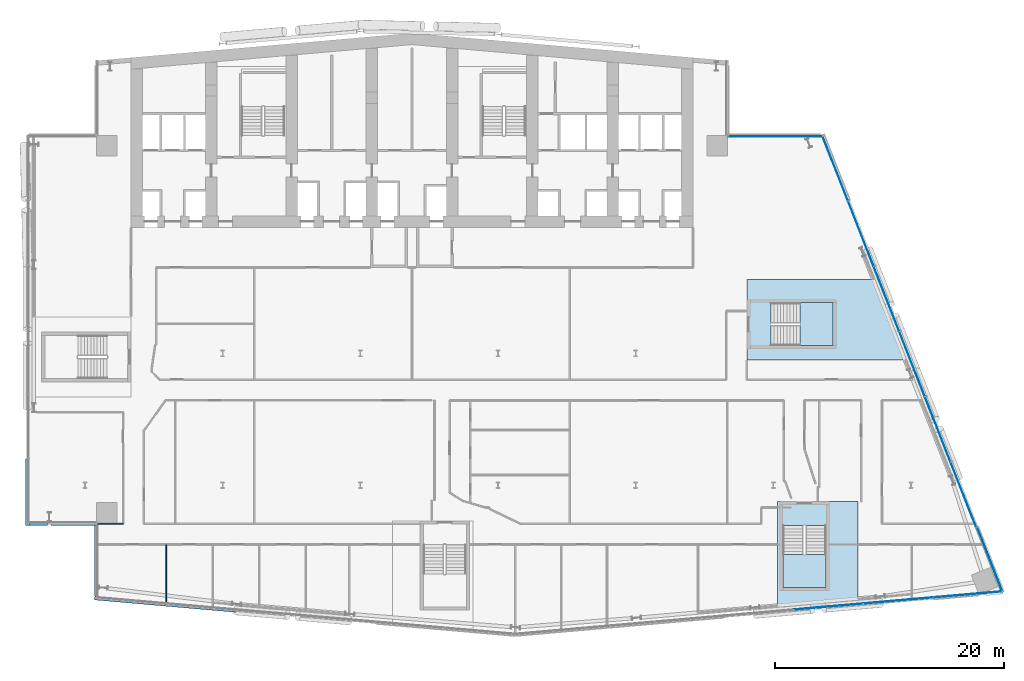
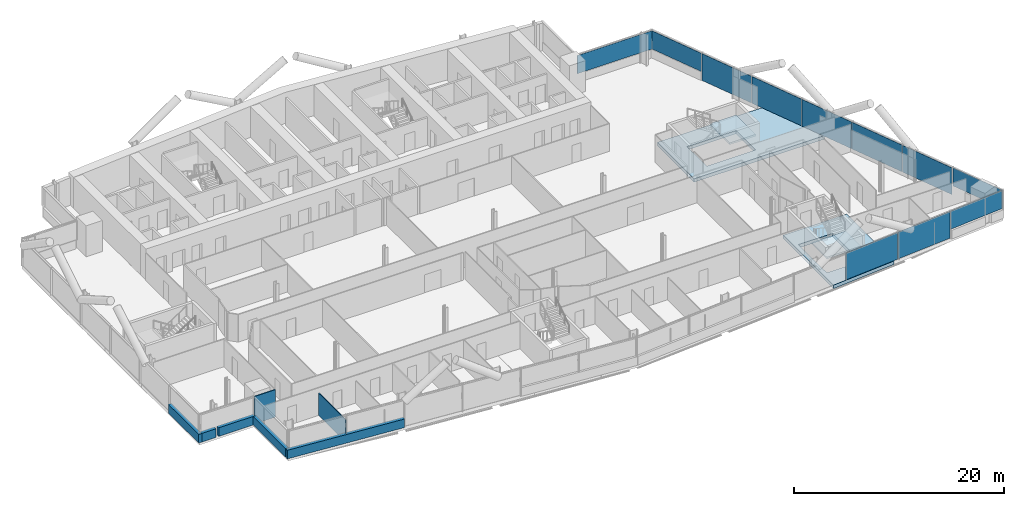
# One storey, part 13 of 27: 11 plates, 7 walls, 4 slabs, 5 elements without a shape of their own.
"""IFC4 building model written with IfcOpenShell, lengths in metres."""

from ifc_helpers import new_model, si_unit, direction, frame, frame_2d, origin, origin_2d, place, context, subcontext, project, spatial, polyline, rectangle, outline, extrude, material, layer, layer_set, type_object, element, aggregate, save


model = new_model("IFC4")

# Units and contexts
model_context = context("Model", 3, precision=1e-05, world=origin(), true_north=direction((0.0, 1.0)))
body_context = subcontext(model_context, "Body", "Model", "MODEL_VIEW")
ifc_project = project(units=[si_unit("LENGTHUNIT", "METRE"), si_unit("AREAUNIT", "SQUARE_METRE"), si_unit("VOLUMEUNIT", "CUBIC_METRE"), si_unit("PLANEANGLEUNIT", "RADIAN"), si_unit("MASSUNIT", "GRAM", prefix="KILO")], contexts=[model_context])

# Site, building, storey
site_placement = place(None, origin())
site = spatial("IfcSite", under=ifc_project, at=site_placement, CompositionType="ELEMENT")
building_placement = place(site_placement, origin())
building = spatial("IfcBuilding", under=site, at=building_placement, Name="Wharfspan Tower", CompositionType="ELEMENT")
storey_placement = place(building_placement, frame((0.0, 0.0, 136.300049)))
storey = spatial("IfcBuildingStorey", under=building, at=storey_placement, Name="L32", CompositionType="ELEMENT", Elevation=136.300049)

# Curtain wall, plate
ifc_material_1 = material(Name="Aluminium 6063-T6", Category="aluminium")
curtain_wall_type_1 = type_object("IfcCurtainWallType", Name="CURTAIN WALL FACETED FRONT", PredefinedType="NOTDEFINED", material=ifc_material_1)
curtain_wall_1_placement = place(storey_placement, origin())
curtain_wall_1 = element("IfcCurtainWall", 1, at=curtain_wall_1_placement, inside=storey, type_object=curtain_wall_type_1, Name="Curtain wall S2", PredefinedType="NOTDEFINED")
ifc_material_2 = material(Name="Glass clear low-iron double glazing", Category="glass")
ifc_layer_1 = layer(ifc_material_2, 0.040039)
ifc_layer_set_1 = layer_set([ifc_layer_1], Name="Glass clear low-iron double glazing")
plate_type_1 = type_object("IfcPlateType", Name="GLASS PANEL FACETED FRONT 40", PredefinedType="CURTAIN_PANEL", material=ifc_layer_set_1)
plate_1_placement = place(storey_placement, frame((88.944092, 1.99292, 1.0), z_axis=(0.0, 0.0, 1.0), x_axis=(0.996198, 0.087156, 0.0)))
plate_1 = element("IfcPlate", 2, at=plate_1_placement, type_object=plate_type_1, Name="Curtain wall S2 panel 7", PredefinedType="CURTAIN_PANEL", context=body_context, shape_type="SweptSolid", body=[
    extrude(rectangle(XDim=6.004639, YDim=0.040039, at=origin_2d()), origin(), (0.0, 0.0, 1.0), 2.120117),
])

# Curtain wall, plates
curtain_wall_type_2 = type_object("IfcCurtainWallType", Name="CURTAIN WALL PROW AND END", PredefinedType="NOTDEFINED", material=ifc_material_1)
curtain_wall_2_placement = place(storey_placement, origin())
curtain_wall_2 = element("IfcCurtainWall", 3, at=curtain_wall_2_placement, inside=storey, type_object=curtain_wall_type_2, Name="Curtain wall E", PredefinedType="NOTDEFINED")
ifc_layer_2 = layer(ifc_material_2, 0.040039)
ifc_layer_set_2 = layer_set([ifc_layer_2], Name="Glass clear low-iron double glazing")
plate_type_2 = type_object("IfcPlateType", Name="GLASS PANEL PROW AND END 40", PredefinedType="CURTAIN_PANEL", material=ifc_layer_set_2)
plate_2_placement = place(storey_placement, frame((90.877197, 5.056885, 1.0), z_axis=(0.0, 0.0, 1.0), x_axis=(-0.365778, 0.930702, 0.0)))
plate_2 = element("IfcPlate", 4, at=plate_2_placement, type_object=plate_type_2, Name="Curtain wall E panel 1", PredefinedType="CURTAIN_PANEL", context=body_context, shape_type="SweptSolid", body=[
    extrude(rectangle(XDim=6.019043, YDim=0.040039, at=origin_2d()), origin(), (0.0, 0.0, 1.0), 2.120117),
])
plate_3_placement = place(storey_placement, frame((77.406494, 39.114014, 1.0), z_axis=(0.0, 0.0, 1.0), x_axis=(-0.365778, 0.930702, 0.0)))
plate_3 = element("IfcPlate", 5, at=plate_3_placement, type_object=plate_type_2, Name="Curtain wall E panel 7", PredefinedType="CURTAIN_PANEL", context=body_context, shape_type="SweptSolid", body=[
    extrude(rectangle(XDim=6.019043, YDim=0.040039, at=origin_2d()), origin(), (0.0, 0.0, 1.0), 2.120117),
])

# Curtain wall, plate
curtain_wall_3_placement = place(storey_placement, origin())
curtain_wall_3 = element("IfcCurtainWall", 6, at=curtain_wall_3_placement, inside=storey, type_object=curtain_wall_type_2, Name="Curtain wall NRE-H", PredefinedType="NOTDEFINED")
plate_4_placement = place(storey_placement, frame((72.178955, 41.919922, 1.0), z_axis=(0.0, 0.0, 1.0), x_axis=(-1.0, 0.0, 0.0)))
plate_4 = element("IfcPlate", 7, at=plate_4_placement, type_object=plate_type_2, Name="Curtain wall NRE-H panel 1", PredefinedType="CURTAIN_PANEL", context=body_context, shape_type="SweptSolid", body=[
    extrude(rectangle(XDim=8.238037, YDim=0.040039, at=origin_2d()), origin(), (0.0, 0.0, 1.0), 2.120117),
])
aggregate(curtain_wall_3, [plate_4])

# Plate
ifc_material_3 = material(Name="Aluminium composite opaque insulated panel", Category="aluminium")
ifc_layer_3 = layer(ifc_material_3, 0.040039)
ifc_layer_set_3 = layer_set([ifc_layer_3], Name="Aluminium composite opaque insulated panel")
plate_type_3 = type_object("IfcPlateType", Name="INFILL PANEL FACETED FRONT OPAQUE 40", PredefinedType="SHEET", material=ifc_layer_set_3)
plate_5_placement = place(storey_placement, frame((76.816162, 0.931885, 0.0), z_axis=(0.0, 0.0, 1.0), x_axis=(0.996198, 0.087156, 0.0)))
plate_5 = element("IfcPlate", 8, at=plate_5_placement, type_object=plate_type_3, Name="Curtain wall S2 panel 5", PredefinedType="SHEET", context=body_context, shape_type="SweptSolid", body=[
    extrude(rectangle(XDim=6.034668, YDim=0.040039, at=origin_2d()), origin(), (0.0, 0.0, 1.0), 3.120117),
])

plate_6_placement = place(storey_placement, frame((82.887695, 1.462891, 0.0), z_axis=(0.0, 0.0, 1.0), x_axis=(0.996198, 0.087156, 0.0)))
plate_6 = element("IfcPlate", 9, at=plate_6_placement, type_object=plate_type_3, Name="Curtain wall S2 panel 6", PredefinedType="SHEET", context=body_context, shape_type="SweptSolid", body=[
    extrude(rectangle(XDim=6.034668, YDim=0.040039, at=origin_2d()), origin(), (0.0, 0.0, 1.0), 3.120117),
])

aggregate(curtain_wall_1, [plate_5, plate_6, plate_1])

ifc_layer_4 = layer(ifc_material_3, 0.040039)
ifc_layer_set_4 = layer_set([ifc_layer_4], Name="Aluminium composite opaque insulated panel")
plate_type_4 = type_object("IfcPlateType", Name="INFILL PANEL PROW AND END OPAQUE 40", PredefinedType="SHEET", material=ifc_layer_set_4)
plate_7_placement = place(storey_placement, frame((88.57373, 10.699219, 0.0), z_axis=(0.0, 0.0, 1.0), x_axis=(-0.365778, 0.930702, 0.0)))
plate_7 = element("IfcPlate", 10, at=plate_7_placement, type_object=plate_type_4, Name="Curtain wall E panel 2", PredefinedType="SHEET", context=body_context, shape_type="SweptSolid", body=[
    extrude(rectangle(XDim=6.049072, YDim=0.040039, at=origin_2d()), origin(), (0.0, 0.0, 1.0), 3.120117),
])

plate_8_placement = place(storey_placement, frame((86.339111, 16.38501, 0.0), z_axis=(0.0, 0.0, 1.0), x_axis=(-0.365778, 0.930702, 0.0)))
plate_8 = element("IfcPlate", 11, at=plate_8_placement, type_object=plate_type_4, Name="Curtain wall E panel 3", PredefinedType="SHEET", context=body_context, shape_type="SweptSolid", body=[
    extrude(rectangle(XDim=6.049072, YDim=0.040039, at=origin_2d()), origin(), (0.0, 0.0, 1.0), 3.120117),
])

plate_9_placement = place(storey_placement, frame((84.104492, 22.070801, 0.0), z_axis=(0.0, 0.0, 1.0), x_axis=(-0.365778, 0.930702, 0.0)))
plate_9 = element("IfcPlate", 12, at=plate_9_placement, type_object=plate_type_4, Name="Curtain wall E panel 4", PredefinedType="SHEET", context=body_context, shape_type="SweptSolid", body=[
    extrude(rectangle(XDim=6.049072, YDim=0.040039, at=origin_2d()), origin(), (0.0, 0.0, 1.0), 3.120117),
])

plate_10_placement = place(storey_placement, frame((81.870117, 27.756348, 0.0), z_axis=(0.0, 0.0, 1.0), x_axis=(-0.365778, 0.930702, 0.0)))
plate_10 = element("IfcPlate", 13, at=plate_10_placement, type_object=plate_type_4, Name="Curtain wall E panel 5", PredefinedType="SHEET", context=body_context, shape_type="SweptSolid", body=[
    extrude(rectangle(XDim=6.049072, YDim=0.040039, at=origin_2d()), origin(), (0.0, 0.0, 1.0), 3.120117),
])

plate_11_placement = place(storey_placement, frame((79.635498, 33.442139, 0.0), z_axis=(0.0, 0.0, 1.0), x_axis=(-0.365778, 0.930702, 0.0)))
plate_11 = element("IfcPlate", 14, at=plate_11_placement, type_object=plate_type_4, Name="Curtain wall E panel 6", PredefinedType="SHEET", context=body_context, shape_type="SweptSolid", body=[
    extrude(rectangle(XDim=6.049072, YDim=0.040039, at=origin_2d()), origin(), (0.0, 0.0, 1.0), 3.120117),
])

aggregate(curtain_wall_2, [plate_2, plate_7, plate_8, plate_9, plate_10, plate_11, plate_3])

# Slabs
ifc_material_4 = material(Name="Concrete C40/50", Category="concrete")
ifc_layer_5 = layer(ifc_material_4, 0.399902)
ifc_layer_set_5 = layer_set([ifc_layer_5], Name="Concrete C40/50")
slab_type_1 = type_object("IfcSlabType", Name="Post-tensioned flat slab 400", PredefinedType="FLOOR", material=ifc_layer_set_5)
slab_1_placement = place(storey_placement, frame((0.0, 0.0, -0.400146)))
element("IfcSlab", 15, at=slab_1_placement, inside=storey, type_object=slab_type_1, Name="Core floor slab L32 part 5", PredefinedType="FLOOR", context=body_context, shape_type="SweptSolid", body=[
    extrude(outline(polyline([(79.365967, 10.094727), (76.891113, 10.094727), (72.541016, 10.094727), (72.365967, 10.094727), (72.365967, 0.482178), (79.365967, 1.094727), (79.365967, 10.094727)]), holes=[polyline([(76.591064, 7.996582), (76.591309, 7.996582), (76.591309, 7.996582), (76.591553, 7.996582), (76.591797, 7.996582), (76.591797, 7.996338), (76.592041, 7.996338), (76.592285, 7.996094), (76.592285, 7.996094), (76.592529, 7.99585), (76.592773, 7.99585), (76.592773, 7.995605), (76.593018, 7.995361), (76.593018, 7.995117), (76.593018, 7.995117), (76.593018, 7.994873), (76.593018, 7.994629), (76.593018, 2.594727), (76.593018, 2.594482), (76.593018, 2.594238), (76.593018, 2.593994), (76.593018, 2.593994), (76.592773, 2.59375), (76.592773, 2.593506), (76.592529, 2.593506), (76.592285, 2.593262), (76.592285, 2.593018), (76.592041, 2.593018), (76.591797, 2.593018), (76.591797, 2.592773), (76.591553, 2.592773), (76.591309, 2.592773), (76.591309, 2.592773), (76.591064, 2.592773), (72.841064, 2.592773), (72.84082, 2.592773), (72.840576, 2.592773), (72.840332, 2.592773), (72.840088, 2.592773), (72.840088, 2.593018), (72.839844, 2.593018), (72.8396, 2.593018), (72.8396, 2.593262), (72.8396, 2.593506), (72.839355, 2.593506), (72.839111, 2.59375), (72.839111, 2.593994), (72.839111, 2.593994), (72.839111, 2.594238), (72.839111, 2.594482), (72.839111, 2.594727), (72.839111, 7.994629), (72.839111, 7.994873), (72.839111, 7.995117), (72.839111, 7.995117), (72.839111, 7.995361), (72.839111, 7.995605), (72.839355, 7.99585), (72.8396, 7.99585), (72.8396, 7.996094), (72.8396, 7.996094), (72.839844, 7.996338), (72.840088, 7.996338), (72.840088, 7.996582), (72.840332, 7.996582), (72.840576, 7.996582), (72.84082, 7.996582), (72.841064, 7.996582), (76.591064, 7.996582)])]), origin(), (0.0, 0.0, 1.0), 0.400146),
])
slab_2_placement = place(storey_placement, frame((0.0, 0.0, -0.400146)))
element("IfcSlab", 16, at=slab_2_placement, inside=storey, type_object=slab_type_1, Name="Core floor slab L32 part 6", PredefinedType="FLOOR", context=body_context, shape_type="SweptSolid", body=[
    extrude(outline(polyline([(81.290283, 29.449951), (69.69043, 29.449951), (69.69043, 27.725098), (69.69043, 23.375), (69.69043, 22.449951), (84.041504, 22.449951), (81.290283, 29.449951)]), holes=[polyline([(71.790283, 23.673096), (71.790283, 23.673096), (71.790039, 23.673096), (71.789795, 23.673096), (71.789551, 23.673096), (71.789551, 23.673096), (71.789307, 23.67334), (71.789062, 23.673584), (71.789062, 23.673584), (71.788818, 23.673584), (71.788818, 23.673828), (71.788574, 23.674072), (71.788574, 23.674316), (71.788574, 23.674316), (71.78833, 23.674561), (71.78833, 23.674805), (71.78833, 23.675049), (71.78833, 27.425049), (71.78833, 27.425293), (71.78833, 27.425293), (71.788574, 27.425537), (71.788574, 27.425781), (71.788574, 27.425781), (71.788818, 27.426025), (71.788818, 27.42627), (71.789062, 27.426514), (71.789062, 27.426514), (71.789307, 27.426758), (71.789551, 27.426758), (71.789551, 27.426758), (71.789795, 27.427002), (71.790039, 27.427002), (71.790283, 27.427002), (71.790283, 27.427002), (77.19043, 27.427002), (77.190674, 27.427002), (77.190918, 27.427002), (77.190918, 27.427002), (77.191162, 27.426758), (77.191406, 27.426758), (77.191406, 27.426758), (77.19165, 27.426514), (77.191895, 27.426514), (77.191895, 27.42627), (77.192139, 27.426025), (77.192139, 27.425781), (77.192139, 27.425781), (77.192383, 27.425537), (77.192383, 27.425293), (77.192383, 27.425293), (77.192383, 27.425049), (77.192383, 23.675049), (77.192383, 23.674805), (77.192383, 23.674561), (77.192383, 23.674316), (77.192139, 23.674316), (77.192139, 23.674072), (77.192139, 23.673828), (77.191895, 23.673584), (77.191895, 23.673584), (77.19165, 23.673584), (77.191406, 23.67334), (77.191406, 23.673096), (77.191162, 23.673096), (77.190918, 23.673096), (77.190918, 23.673096), (77.190674, 23.673096), (77.19043, 23.673096), (71.790283, 23.673096)])]), origin(), (0.0, 0.0, 1.0), 0.400146),
])

# Stair, slab
stair_type = type_object("IfcStairType", Name="Half-turn stair 20 risers 180 mm", PredefinedType="HALF_TURN_STAIR", material=ifc_material_4)
stair_1_placement = place(storey_placement, origin())
stair_1 = element("IfcStair", 17, at=stair_1_placement, inside=storey, type_object=stair_type, Name="L32 stair ST5", PredefinedType="HALF_TURN_STAIR")
ifc_layer_6 = layer(ifc_material_4, 0.199951)
ifc_layer_set_6 = layer_set([ifc_layer_6], Name="Concrete C40/50")
slab_type_2 = type_object("IfcSlabType", Name="Stair landing 200", PredefinedType="LANDING", material=ifc_layer_set_6)
slab_3_placement = place(storey_placement, frame((0.0, 0.0, 1.599854)))
slab_3 = element("IfcSlab", 18, at=slab_3_placement, type_object=slab_type_2, Name="ST5 landing 1", PredefinedType="LANDING", context=body_context, shape_type="SweptSolid", body=[
    extrude(outline(polyline([(72.841064, 5.474609), (72.841064, 2.594727), (76.591064, 2.594727), (76.591064, 5.474609), (72.841064, 5.474609)])), origin(), (0.0, 0.0, 1.0), 0.200195),
])
aggregate(stair_1, [slab_3])

stair_2_placement = place(storey_placement, origin())
stair_2 = element("IfcStair", 19, at=stair_2_placement, inside=storey, type_object=stair_type, Name="L32 stair ST6", PredefinedType="HALF_TURN_STAIR")
slab_4_placement = place(storey_placement, frame((0.0, 0.0, 1.599854)))
slab_4 = element("IfcSlab", 20, at=slab_4_placement, type_object=slab_type_2, Name="ST6 landing 1", PredefinedType="LANDING", context=body_context, shape_type="SweptSolid", body=[
    extrude(outline(polyline([(74.310303, 23.675049), (77.19043, 23.675049), (77.19043, 27.425049), (74.310303, 27.425049), (74.310303, 23.675049)])), origin(), (0.0, 0.0, 1.0), 0.200195),
])
aggregate(stair_2, [slab_4])

# Walls
ifc_material_5 = material(Name="Gypsum board on steel studs", Category="steel")
ifc_layer_7 = layer(ifc_material_5, 0.100098)
ifc_layer_set_7 = layer_set([ifc_layer_7], Name="Gypsum board on steel studs")
wall_type_1 = type_object("IfcWallType", Name="Compartment wall 100 EI 60", PredefinedType="PARTITIONING", material=ifc_layer_set_7)
wall_1_placement = place(storey_placement, frame((13.02002, 8.149902, 0.0), z_axis=(0.0, 0.0, 1.0), x_axis=(1.0, 0.0, 0.0)))
element("IfcWall", 21, at=wall_1_placement, inside=storey, type_object=wall_type_1, Name="Partition L32.w004", PredefinedType="PARTITIONING", context=body_context, shape_type="SweptSolid", body=[
    extrude(rectangle(XDim=2.300049, YDim=0.100098, at=frame_2d((1.149902, 0.0))), origin(), (0.0, 0.0, 1.0), 3.199951),
])
wall_2_placement = place(storey_placement, frame((19.084961, 1.162842, 0.0), z_axis=(0.0, 0.0, 1.0), x_axis=(0.0, 1.0, 0.0)))
element("IfcWall", 22, at=wall_2_placement, inside=storey, type_object=wall_type_1, Name="Partition L32.w021", PredefinedType="PARTITIONING", context=body_context, shape_type="SweptSolid", body=[
    extrude(rectangle(XDim=5.182129, YDim=0.100098, at=frame_2d((2.591064, 0.0))), origin(), (0.0, 0.0, 1.0), 2.579834),
])
ifc_layer_8 = layer(ifc_material_4, 0.350098)
ifc_layer_set_8 = layer_set([ifc_layer_8], Name="Concrete C40/50")
wall_type_2 = type_object("IfcWallType", Name="SPANDREL EXPOSED CONCRETE 350", PredefinedType="SOLIDWALL", material=ifc_layer_set_8)
wall_3_placement = place(storey_placement, frame((12.835205, 1.68457, 0.0), z_axis=(0.0, 0.0, 1.0), x_axis=(0.996192, -0.087173, 0.0)))
element("IfcWall", 23, at=wall_3_placement, inside=storey, type_object=wall_type_2, Name="Spandrel upstand L32 S1 1", PredefinedType="SOLIDWALL", context=body_context, shape_type="SweptSolid", body=[
    extrude(rectangle(XDim=12.348145, YDim=0.350098, at=frame_2d((6.174072, 0.0))), origin(), (0.0, 0.0, 1.0), 1.0),
])
wall_4_placement = place(storey_placement, frame((6.995117, 13.803223, 0.0), z_axis=(0.0, 0.0, 1.0), x_axis=(0.0, -1.0, 0.0)))
element("IfcWall", 24, at=wall_4_placement, inside=storey, type_object=wall_type_2, Name="Spandrel upstand L32 W", PredefinedType="SOLIDWALL", context=body_context, shape_type="SweptSolid", body=[
    extrude(rectangle(XDim=5.783203, YDim=0.350098, at=frame_2d((2.891602, 0.0))), origin(), (0.0, 0.0, 1.0), 1.0),
])
wall_5_placement = place(storey_placement, frame((7.169922, 8.195068, 0.0), z_axis=(0.0, 0.0, 1.0), x_axis=(1.0, 0.0, 0.0)))
element("IfcWall", 25, at=wall_5_placement, inside=storey, type_object=wall_type_2, Name="Spandrel upstand L32 NFW-H", PredefinedType="SOLIDWALL", context=body_context, shape_type="SweptSolid", body=[
    extrude(rectangle(XDim=1.563232, YDim=0.350098, at=frame_2d((0.781738, 0.0))), origin(), (0.0, 0.0, 1.0), 1.0),
])
wall_6_placement = place(storey_placement, frame((9.036133, 8.195068, 0.0), z_axis=(0.0, 0.0, 1.0), x_axis=(1.0, 0.0, 0.0)))
element("IfcWall", 26, at=wall_6_placement, inside=storey, type_object=wall_type_2, Name="Spandrel upstand L32 NFW-H 2", PredefinedType="SOLIDWALL", context=body_context, shape_type="SweptSolid", body=[
    extrude(rectangle(XDim=3.963867, YDim=0.350098, at=frame_2d((1.981934, 0.0))), origin(), (0.0, 0.0, 1.0), 1.0),
])
wall_7_placement = place(storey_placement, frame((12.995117, 8.02002, 0.0), z_axis=(0.0, 0.0, 1.0), x_axis=(0.0, -1.0, 0.0)))
element("IfcWall", 27, at=wall_7_placement, inside=storey, type_object=wall_type_2, Name="Spandrel upstand L32 NFW-V", PredefinedType="SOLIDWALL", context=body_context, shape_type="SweptSolid", body=[
    extrude(rectangle(XDim=6.161133, YDim=0.350098, at=frame_2d((3.080566, 0.0))), origin(), (0.0, 0.0, 1.0), 1.0),
])

save(model, "model.ifc")
